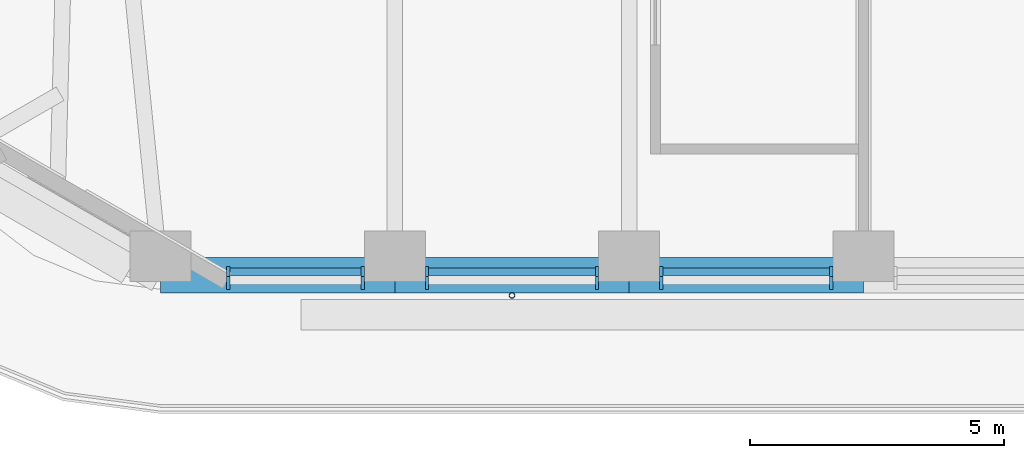
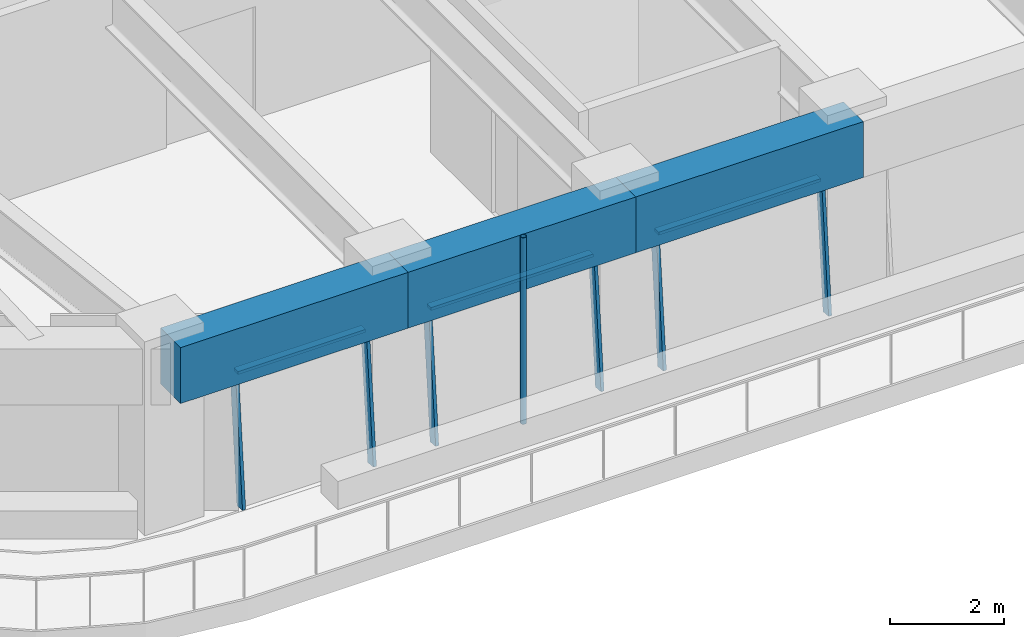
# One storey, part 2 of 20: 10 members, 3 beams, 3 elements without a shape of their own.
"""IFC4 building model written with IfcOpenShell, lengths in metres."""

from ifc_helpers import new_model, si_unit, direction, frame, origin, origin_2d, place, context, subcontext, project, spatial, rectangle, hollow_circle, extrude, material, material_profile, profile_set, type_object, element, aggregate, save


model = new_model("IFC4")

# Units and contexts
model_context = context("Model", 3, precision=1e-05, world=origin(), true_north=direction((0.0, 1.0)))
body_context = subcontext(model_context, "Body", "Model", "MODEL_VIEW")
ifc_project = project(units=[si_unit("LENGTHUNIT", "METRE"), si_unit("AREAUNIT", "SQUARE_METRE"), si_unit("VOLUMEUNIT", "CUBIC_METRE"), si_unit("PLANEANGLEUNIT", "RADIAN"), si_unit("MASSUNIT", "GRAM", prefix="KILO")], contexts=[model_context])

# Site, building, storey
site_placement = place(None, origin())
site = spatial("IfcSite", under=ifc_project, at=site_placement, CompositionType="ELEMENT")
building_placement = place(site_placement, origin())
building = spatial("IfcBuilding", under=site, at=building_placement, Name="Tarfa Lantern Tower", CompositionType="ELEMENT")
storey_placement = place(building_placement, frame((0.0, 0.0, 257.5)))
storey = spatial("IfcBuildingStorey", under=building, at=storey_placement, Name="L58", CompositionType="ELEMENT", Elevation=257.5)

# Curtain wall, members
ifc_material_1 = material(Name="Aluminium framed curtain wall", Category="aluminium")
curtain_wall_type = type_object("IfcCurtainWallType", Name="CW3 CANTED GLAZING HIGH ZONE 2800", PredefinedType="USERDEFINED", material=ifc_material_1)
curtain_wall_1_placement = place(storey_placement, origin())
curtain_wall_1 = element("IfcCurtainWall", 1, at=curtain_wall_1_placement, inside=storey, type_object=curtain_wall_type, Name="CW3 S L58", ObjectType="CURTAIN WALL", PredefinedType="USERDEFINED")
ifc_material_2 = material(Name="Aluminium mullion", Category="aluminium")
ifc_material_profile_1 = material_profile(ifc_material_2, rectangle(XDim=0.06494140625, YDim=0.199951171875, at=origin_2d()), Name="AL MULLION 65x200")
ifc_profile_set_1 = profile_set([ifc_material_profile_1], Name="Aluminium mullion")
member_type_1 = type_object("IfcMemberType", Name="CWM1 MULLION 65x200", PredefinedType="MULLION", material=ifc_profile_set_1)
member_1_placement = place(storey_placement, frame((-12.52392578125, -28.89990234375, 0.0), z_axis=(0.0, 0.088930399417, 0.996037842685), x_axis=(-1.0, 0.0, 0.0)))
member_1 = element("IfcMember", 2, at=member_1_placement, type_object=member_type_1, Name="CW3 mullion 1", PredefinedType="MULLION", context=body_context, shape_type="SweptSolid", body=[
    extrude(rectangle(XDim=0.06494140625, YDim=0.199951171875, at=origin_2d()), origin(), (0.0, 0.0, 1.0), 2.811279296875),
])
member_2_placement = place(storey_placement, frame((-9.8701171875, -28.89990234375, 0.0), z_axis=(0.0, 0.088930399417, 0.996037842685), x_axis=(-1.0, 0.0, 0.0)))
member_2 = element("IfcMember", 3, at=member_2_placement, type_object=member_type_1, Name="CW3 mullion 2", PredefinedType="MULLION", context=body_context, shape_type="SweptSolid", body=[
    extrude(rectangle(XDim=0.06494140625, YDim=0.199951171875, at=origin_2d()), origin(), (0.0, 0.0, 1.0), 2.811279296875),
])

curtain_wall_2_placement = place(storey_placement, origin())
curtain_wall_2 = element("IfcCurtainWall", 4, at=curtain_wall_2_placement, inside=storey, type_object=curtain_wall_type, Name="CW3 S L58", ObjectType="CURTAIN WALL", PredefinedType="USERDEFINED")
member_3_placement = place(storey_placement, frame((-8.605224609375, -28.89990234375, 0.0), z_axis=(0.0, 0.088930399417, 0.996037842685), x_axis=(-1.0, 0.0, 0.0)))
member_3 = element("IfcMember", 5, at=member_3_placement, type_object=member_type_1, Name="CW3 mullion 1", PredefinedType="MULLION", context=body_context, shape_type="SweptSolid", body=[
    extrude(rectangle(XDim=0.06494140625, YDim=0.199951171875, at=origin_2d()), origin(), (0.0, 0.0, 1.0), 2.811279296875),
])
member_4_placement = place(storey_placement, frame((-5.251220703125, -28.89990234375, 0.0), z_axis=(0.0, 0.088930399417, 0.996037842685), x_axis=(-1.0, 0.0, 0.0)))
member_4 = element("IfcMember", 6, at=member_4_placement, type_object=member_type_1, Name="CW3 mullion 2", PredefinedType="MULLION", context=body_context, shape_type="SweptSolid", body=[
    extrude(rectangle(XDim=0.06494140625, YDim=0.199951171875, at=origin_2d()), origin(), (0.0, 0.0, 1.0), 2.811279296875),
])

curtain_wall_3_placement = place(storey_placement, origin())
curtain_wall_3 = element("IfcCurtainWall", 7, at=curtain_wall_3_placement, inside=storey, type_object=curtain_wall_type, Name="CW3 S L58", ObjectType="CURTAIN WALL", PredefinedType="USERDEFINED")
member_5_placement = place(storey_placement, frame((-3.986328125, -28.89990234375, 0.0), z_axis=(0.0, 0.088930399417, 0.996037842685), x_axis=(-1.0, 0.0, 0.0)))
member_5 = element("IfcMember", 8, at=member_5_placement, type_object=member_type_1, Name="CW3 mullion 1", PredefinedType="MULLION", context=body_context, shape_type="SweptSolid", body=[
    extrude(rectangle(XDim=0.06494140625, YDim=0.199951171875, at=origin_2d()), origin(), (0.0, 0.0, 1.0), 2.811279296875),
])
member_6_placement = place(storey_placement, frame((-0.632568359375, -28.89990234375, 0.0), z_axis=(0.0, 0.088930399417, 0.996037842685), x_axis=(-1.0, 0.0, 0.0)))
member_6 = element("IfcMember", 9, at=member_6_placement, type_object=member_type_1, Name="CW3 mullion 2", PredefinedType="MULLION", context=body_context, shape_type="SweptSolid", body=[
    extrude(rectangle(XDim=0.06494140625, YDim=0.199951171875, at=origin_2d()), origin(), (0.0, 0.0, 1.0), 2.811279296875),
])

# Member
ifc_material_3 = material(Name="Aluminium transom", Category="aluminium")
ifc_material_profile_2 = material_profile(ifc_material_3, rectangle(XDim=0.14990234375, YDim=0.06494140625, at=origin_2d()), Name="AL TRANSOM 150x65")
ifc_profile_set_2 = profile_set([ifc_material_profile_2], Name="Aluminium transom")
member_type_2 = type_object("IfcMemberType", Name="CWT1 TRANSOM 150x65", PredefinedType="USERDEFINED", material=ifc_profile_set_2)
member_7_placement = place(storey_placement, frame((-12.491455078125, -28.65283203125, 2.767578125), z_axis=(1.0, 0.0, 0.0), x_axis=(0.0, 1.0, 0.0)))
member_7 = element("IfcMember", 10, at=member_7_placement, type_object=member_type_2, Name="CW3 transom 1.2", ObjectType="TRANSOM", PredefinedType="USERDEFINED", context=body_context, shape_type="SweptSolid", body=[
    extrude(rectangle(XDim=0.14990234375, YDim=0.06494140625, at=origin_2d()), origin(), (0.0, 0.0, 1.0), 2.5888671875),
])

aggregate(curtain_wall_1, [member_1, member_2, member_7])

member_8_placement = place(storey_placement, frame((-8.572509765625, -28.65283203125, 2.767578125), z_axis=(1.0, 0.0, 0.0), x_axis=(0.0, 1.0, 0.0)))
member_8 = element("IfcMember", 11, at=member_8_placement, type_object=member_type_2, Name="CW3 transom 1.2", ObjectType="TRANSOM", PredefinedType="USERDEFINED", context=body_context, shape_type="SweptSolid", body=[
    extrude(rectangle(XDim=0.14990234375, YDim=0.06494140625, at=origin_2d()), origin(), (0.0, 0.0, 1.0), 3.288818359375),
])

aggregate(curtain_wall_2, [member_3, member_4, member_8])

member_9_placement = place(storey_placement, frame((-3.953857421875, -28.65283203125, 2.767578125), z_axis=(1.0, 0.0, 0.0), x_axis=(0.0, 1.0, 0.0)))
member_9 = element("IfcMember", 12, at=member_9_placement, type_object=member_type_2, Name="CW3 transom 1.2", ObjectType="TRANSOM", PredefinedType="USERDEFINED", context=body_context, shape_type="SweptSolid", body=[
    extrude(rectangle(XDim=0.14990234375, YDim=0.06494140625, at=origin_2d()), origin(), (0.0, 0.0, 1.0), 3.288818359375),
])

aggregate(curtain_wall_3, [member_5, member_6, member_9])

# Beams
ifc_material_4 = material(Name="Concrete C80/95", Category="concrete")
ifc_material_profile_3 = material_profile(ifc_material_4, rectangle(XDim=0.699951171875, YDim=1.199951171875, at=origin_2d()), Name="RC 700x1200")
ifc_profile_set_3 = profile_set([ifc_material_profile_3], Name="Concrete C80/95")
beam_type = type_object("IfcBeamType", Name="EB3 RC 700x1200", PredefinedType="SPANDREL", material=ifc_profile_set_3)
beam_1_placement = place(storey_placement, frame((-13.8564453125, -28.719970703125, 3.39990234375), z_axis=(1.0, 0.0, 0.0), x_axis=(0.0, 1.0, 0.0)))
element("IfcBeam", 13, at=beam_1_placement, inside=storey, type_object=beam_type, Name="Edge beam S0", PredefinedType="SPANDREL", context=body_context, shape_type="SweptSolid", body=[
    extrude(rectangle(XDim=0.699951171875, YDim=1.199951171875, at=origin_2d()), origin(), (0.0, 0.0, 1.0), 4.618896484375),
])
beam_2_placement = place(storey_placement, frame((-9.237548828125, -28.719970703125, 3.39990234375), z_axis=(1.0, 0.0, 0.0), x_axis=(0.0, 1.0, 0.0)))
element("IfcBeam", 14, at=beam_2_placement, inside=storey, type_object=beam_type, Name="Edge beam S1", PredefinedType="SPANDREL", context=body_context, shape_type="SweptSolid", body=[
    extrude(rectangle(XDim=0.699951171875, YDim=1.199951171875, at=origin_2d()), origin(), (0.0, 0.0, 1.0), 4.61865234375),
])
beam_3_placement = place(storey_placement, frame((-4.618896484375, -28.719970703125, 3.39990234375), z_axis=(1.0, 0.0, 0.0), x_axis=(0.0, 1.0, 0.0)))
element("IfcBeam", 15, at=beam_3_placement, inside=storey, type_object=beam_type, Name="Edge beam S2", PredefinedType="SPANDREL", context=body_context, shape_type="SweptSolid", body=[
    extrude(rectangle(XDim=0.699951171875, YDim=1.199951171875, at=origin_2d()), origin(), (0.0, 0.0, 1.0), 4.618896484375),
])

# Member
ifc_material_5 = material(Name="Steel S355", Category="steel")
ifc_material_profile_4 = material_profile(ifc_material_5, hollow_circle(Radius=0.05712890625, WallThickness=0.00634765625, at=origin_2d()), Name="CHS114.3x6.3")
ifc_profile_set_4 = profile_set([ifc_material_profile_4], Name="Steel S355")
member_type_3 = type_object("IfcMemberType", Name="TR1 GREEN WALL TRELLIS CHS114.3x6.3", PredefinedType="USERDEFINED", material=ifc_profile_set_4)
member_10_placement = place(storey_placement, frame((-6.92822265625, -29.1201171875, 0.0), z_axis=(0.0, 0.0, 1.0), x_axis=(1.0, 0.0, 0.0)))
element("IfcMember", 16, at=member_10_placement, inside=storey, type_object=member_type_3, Name="Trellis post S 1", ObjectType="TRELLIS", PredefinedType="USERDEFINED", context=body_context, shape_type="SweptSolid", body=[
    extrude(hollow_circle(Radius=0.05712890625, WallThickness=0.00634765625, at=origin_2d()), origin(), (0.0, 0.0, 1.0), 4.0),
])

save(model, "model.ifc")
